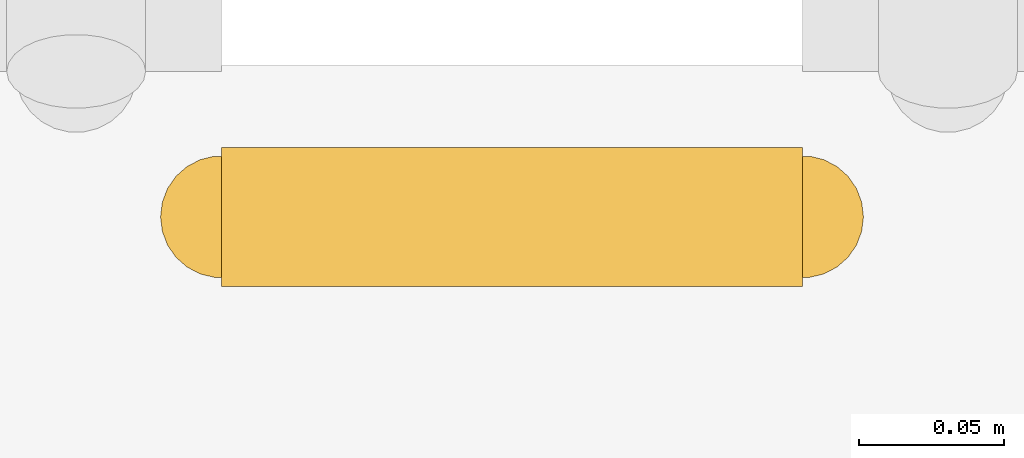
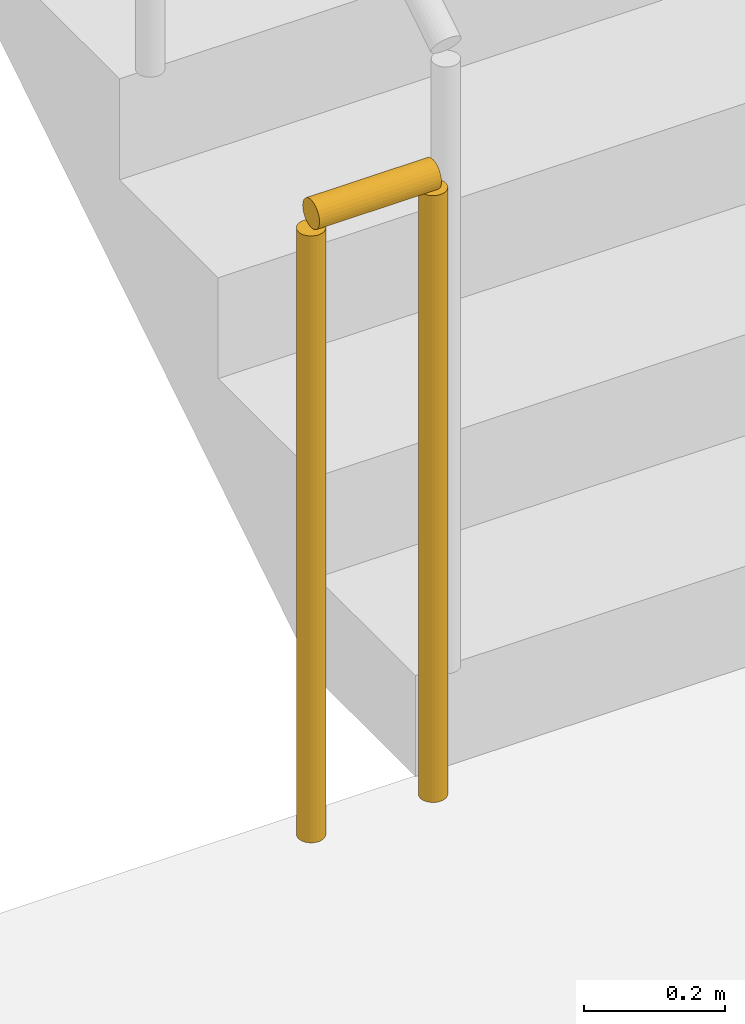
# One storey, part 12 of 23: 1 railing.
"""IFC4 building model written with IfcOpenShell, lengths in metres."""

from ifc_helpers import new_model, si_unit, direction, frame, origin, origin_2d, place, context, subcontext, project, spatial, circle, extrude, material, type_object, element, save


model = new_model("IFC4")

# Units and contexts
model_context = context("Model", 3, precision=1e-05, world=origin(), true_north=direction((0.0, 1.0)))
body_context = subcontext(model_context, "Body", "Model", "MODEL_VIEW")
ifc_project = project(units=[si_unit("LENGTHUNIT", "METRE"), si_unit("AREAUNIT", "SQUARE_METRE"), si_unit("VOLUMEUNIT", "CUBIC_METRE"), si_unit("PLANEANGLEUNIT", "RADIAN"), si_unit("MASSUNIT", "GRAM", prefix="KILO")], contexts=[model_context])

# Site, building, storey
site_placement = place(None, origin())
site = spatial("IfcSite", under=ifc_project, at=site_placement, CompositionType="ELEMENT")
building_placement = place(site_placement, origin())
building = spatial("IfcBuilding", under=site, at=building_placement, Name="Kiln Ring Residences", CompositionType="ELEMENT")
storey_placement = place(building_placement, frame((0.0, 0.0, 86.800048828125)))
storey = spatial("IfcBuildingStorey", under=building, at=storey_placement, Name="L21", CompositionType="ELEMENT", Elevation=86.800048828125)

# Railing
ifc_material = material(Name="Stainless steel", Category="steel")
railing_type = type_object("IfcRailingType", Name="CORE-STAIR-GUARD", PredefinedType="GUARDRAIL", material=ifc_material)
railing_placement = place(storey_placement, frame((-22.0, -8.449951171875, 0.0)))
element("IfcRailing", 1, at=railing_placement, inside=storey, type_object=railing_type, Name="L21 W-STS stair guard 4", PredefinedType="GUARDRAIL", context=body_context, shape_type="SweptSolid", body=[
    extrude(circle(Radius=0.02392578125, at=origin_2d()), frame((0.0, 0.0, 1.076171875), z_axis=(-1.0, 0.0, 0.0), x_axis=(0.0, -1.0, 0.0)), (0.0, 0.0, 1.0), 0.199951171875),
    extrude(circle(Radius=0.02099609375, at=origin_2d()), origin(), (0.0, 0.0, 1.0), 1.052001953125),
    extrude(circle(Radius=0.02099609375, at=origin_2d()), frame((-0.199951171875, 0.0, 0.0)), (0.0, 0.0, 1.0), 1.052001953125),
])

save(model, "model.ifc")
